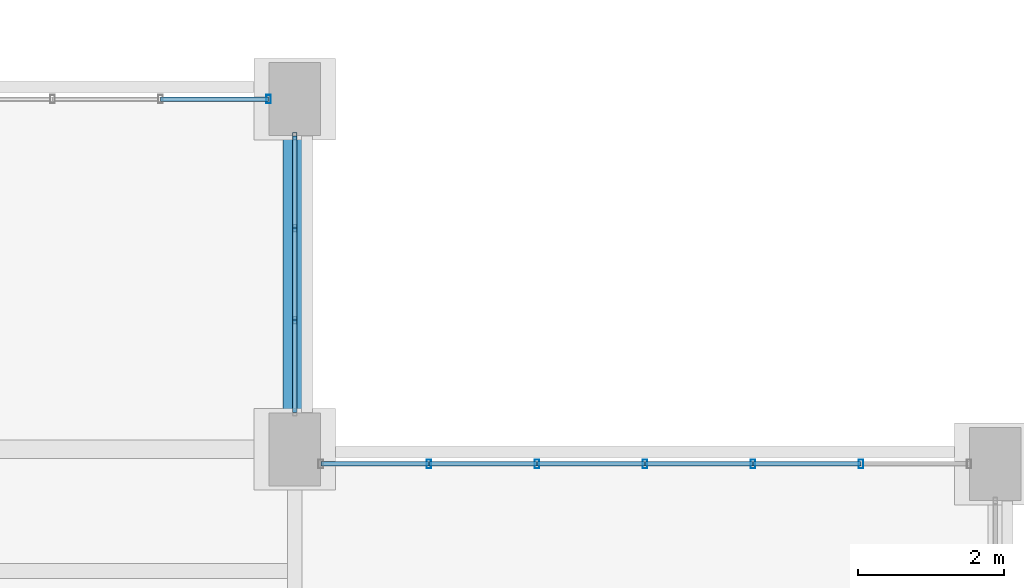
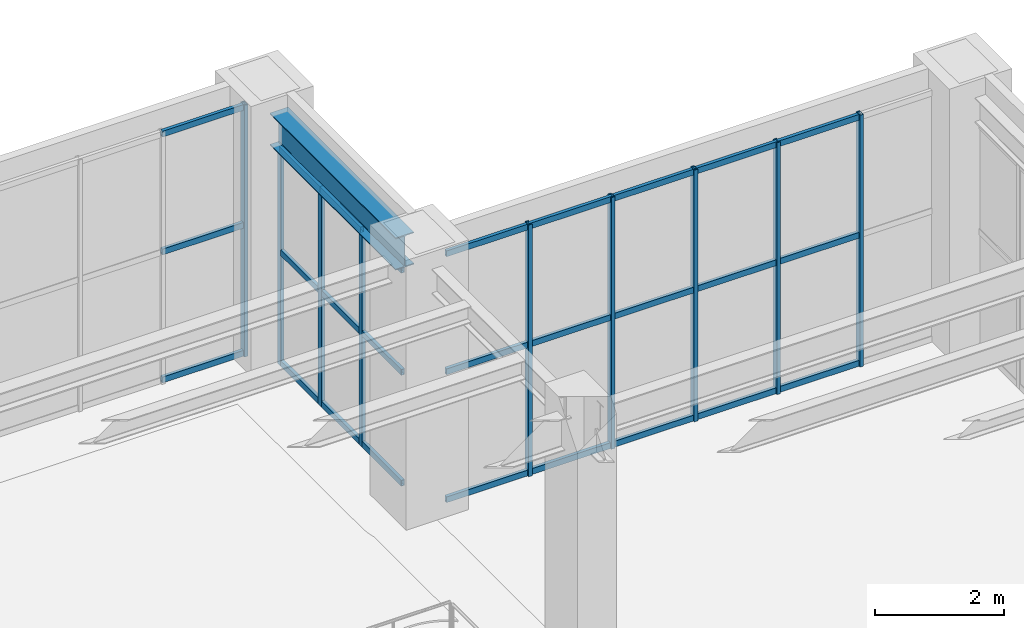
# One storey, part 117 of 174: 36 members, 1 beam, 3 elements without a shape of their own.
"""IFC4 building model written with IfcOpenShell, lengths in metres."""

from ifc_helpers import new_model, si_unit, direction, frame, origin, origin_2d, place, context, subcontext, project, spatial, hollow_rectangle, i_section, extrude, material, material_profile, profile_set, type_object, element, aggregate, save


model = new_model("IFC4")

# Units and contexts
model_context = context("Model", 3, precision=1e-05, world=origin(), true_north=direction((0.0, 1.0)))
body_context = subcontext(model_context, "Body", "Model", "MODEL_VIEW")
ifc_project = project(units=[si_unit("LENGTHUNIT", "METRE"), si_unit("AREAUNIT", "SQUARE_METRE"), si_unit("VOLUMEUNIT", "CUBIC_METRE"), si_unit("PLANEANGLEUNIT", "RADIAN"), si_unit("MASSUNIT", "GRAM", prefix="KILO")], contexts=[model_context])

# Site, building, storey
site_placement = place(None, origin())
site = spatial("IfcSite", under=ifc_project, at=site_placement, CompositionType="ELEMENT")
building_placement = place(site_placement, origin())
building = spatial("IfcBuilding", under=site, at=building_placement, Name="Mavantir Sound Aquarium", CompositionType="ELEMENT")
storey_placement = place(building_placement, frame((0.0, 0.0, 5.39990234375)))
storey = spatial("IfcBuildingStorey", under=building, at=storey_placement, Name="L01", CompositionType="ELEMENT", Elevation=5.39990234375)

# Beam
ifc_material_1 = material(Name="Structural Steel ASTM A992 Gr50", Category="steel")
ifc_material_profile_1 = material_profile(ifc_material_1, i_section(OverallWidth=0.323974609375, OverallDepth=0.611083984375, WebThickness=0.0126953125, FlangeThickness=0.01904296875, FilletRadius=0.01904296875, at=origin_2d()), Name="W610X155")
ifc_profile_set_1 = profile_set([ifc_material_profile_1], Name="Structural Steel ASTM A992 Gr50")
beam_type = type_object("IfcBeamType", Name="BM-W610X155-I", PredefinedType="BEAM", material=ifc_profile_set_1)
beam_placement = place(storey_placement, frame((136.800048828125, 81.25, 4.470703125), z_axis=(0.0, 1.0, 0.0), x_axis=(-1.0, 0.0, 0.0)))
element("IfcBeam", 1, at=beam_placement, inside=storey, type_object=beam_type, Name="L01 primary girder SB-61A 1330", PredefinedType="BEAM", context=body_context, shape_type="SweptSolid", body=[
    extrude(i_section(OverallWidth=0.323974609375, OverallDepth=0.611083984375, WebThickness=0.0126953125, FlangeThickness=0.01904296875, FilletRadius=0.01904296875, at=origin_2d()), origin(), (0.0, 0.0, 1.0), 3.89990234375),
])

# Curtain wall, members
ifc_material_2 = material(Name="Anodised Marine Aluminium and Low-E Glass", Category="aluminium")
curtain_wall_type_1 = type_object("IfcCurtainWallType", Name="CW-T11", PredefinedType="USERDEFINED", material=ifc_material_2)
curtain_wall_1_placement = place(storey_placement, origin())
curtain_wall_1 = element("IfcCurtainWall", 2, at=curtain_wall_1_placement, inside=storey, type_object=curtain_wall_type_1, Name="L01 unitised curtain wall CW-11 83", ObjectType="UNITISED GLAZING", PredefinedType="USERDEFINED")
ifc_material_3 = material(Name="Anodised Marine Aluminium 6063-T6", Category="aluminium")
ifc_material_profile_2 = material_profile(ifc_material_3, hollow_rectangle(XDim=0.06005859375, YDim=0.10009765625, WallThickness=0.00390625, at=origin_2d()), Name="ALU-MULLION-100X60")
ifc_profile_set_2 = profile_set([ifc_material_profile_2], Name="Anodised Marine Aluminium 6063-T6")
member_type_1 = type_object("IfcMemberType", Name="CW-MUL-100", PredefinedType="MULLION", material=ifc_profile_set_2)
member_1_placement = place(storey_placement, frame((136.800048828125, 82.5693359375, 0.0), z_axis=(0.0, 0.0, 1.0), x_axis=(1.0, 0.0, 0.0)))
member_1 = element("IfcMember", 3, at=member_1_placement, type_object=member_type_1, Name="CW-L01-083 vertical mullion 2", PredefinedType="MULLION", context=body_context, shape_type="SweptSolid", body=[
    extrude(hollow_rectangle(XDim=0.06005859375, YDim=0.10009765625, WallThickness=0.00390625, at=origin_2d()), origin(), (0.0, 0.0, 1.0), 4.135009765625),
])
member_2_placement = place(storey_placement, frame((136.800048828125, 83.830810546875, 0.0), z_axis=(0.0, 0.0, 1.0), x_axis=(1.0, 0.0, 0.0)))
member_2 = element("IfcMember", 4, at=member_2_placement, type_object=member_type_1, Name="CW-L01-083 vertical mullion 3", PredefinedType="MULLION", context=body_context, shape_type="SweptSolid", body=[
    extrude(hollow_rectangle(XDim=0.06005859375, YDim=0.10009765625, WallThickness=0.00390625, at=origin_2d()), origin(), (0.0, 0.0, 1.0), 4.135009765625),
])
member_3_placement = place(storey_placement, frame((136.800048828125, 85.092041015625, 0.0), z_axis=(0.0, 0.0, 1.0), x_axis=(1.0, 0.0, 0.0)))
member_3 = element("IfcMember", 5, at=member_3_placement, type_object=member_type_1, Name="CW-L01-083 vertical mullion 4", PredefinedType="MULLION", context=body_context, shape_type="SweptSolid", body=[
    extrude(hollow_rectangle(XDim=0.06005859375, YDim=0.10009765625, WallThickness=0.00390625, at=origin_2d()), origin(), (0.0, 0.0, 1.0), 4.135009765625),
])

curtain_wall_type_2 = type_object("IfcCurtainWallType", Name="CW-T10", PredefinedType="USERDEFINED", material=ifc_material_2)
curtain_wall_2_placement = place(storey_placement, origin())
curtain_wall_2 = element("IfcCurtainWall", 6, at=curtain_wall_2_placement, inside=storey, type_object=curtain_wall_type_2, Name="L01 unitised curtain wall CW-10 82", ObjectType="UNITISED GLAZING", PredefinedType="USERDEFINED")
ifc_material_profile_3 = material_profile(ifc_material_3, hollow_rectangle(XDim=0.06494140625, YDim=0.1201171875, WallThickness=0.00390625, at=origin_2d()), Name="ALU-MULLION-120X65")
ifc_profile_set_3 = profile_set([ifc_material_profile_3], Name="Anodised Marine Aluminium 6063-T6")
member_type_2 = type_object("IfcMemberType", Name="CW-MUL-120", PredefinedType="MULLION", material=ifc_profile_set_3)
member_4_placement = place(storey_placement, frame((144.561279296875, 80.60009765625, 0.0), z_axis=(0.0, 0.0, 1.0), x_axis=(1.0, 0.0, 0.0)))
member_4 = element("IfcMember", 7, at=member_4_placement, type_object=member_type_2, Name="CW-L01-082 vertical mullion 2", PredefinedType="MULLION", context=body_context, shape_type="SweptSolid", body=[
    extrude(hollow_rectangle(XDim=0.06494140625, YDim=0.1201171875, WallThickness=0.00390625, at=origin_2d()), origin(), (0.0, 0.0, 1.0), 4.760009765625),
])
member_5_placement = place(storey_placement, frame((143.080810546875, 80.60009765625, 0.0), z_axis=(0.0, 0.0, 1.0), x_axis=(1.0, 0.0, 0.0)))
member_5 = element("IfcMember", 8, at=member_5_placement, type_object=member_type_2, Name="CW-L01-082 vertical mullion 3", PredefinedType="MULLION", context=body_context, shape_type="SweptSolid", body=[
    extrude(hollow_rectangle(XDim=0.06494140625, YDim=0.1201171875, WallThickness=0.00390625, at=origin_2d()), origin(), (0.0, 0.0, 1.0), 4.760009765625),
])
member_6_placement = place(storey_placement, frame((141.60009765625, 80.60009765625, 0.0), z_axis=(0.0, 0.0, 1.0), x_axis=(1.0, 0.0, 0.0)))
member_6 = element("IfcMember", 9, at=member_6_placement, type_object=member_type_2, Name="CW-L01-082 vertical mullion 4", PredefinedType="MULLION", context=body_context, shape_type="SweptSolid", body=[
    extrude(hollow_rectangle(XDim=0.06494140625, YDim=0.1201171875, WallThickness=0.00390625, at=origin_2d()), origin(), (0.0, 0.0, 1.0), 4.760009765625),
])
member_7_placement = place(storey_placement, frame((140.119384765625, 80.60009765625, 0.0), z_axis=(0.0, 0.0, 1.0), x_axis=(1.0, 0.0, 0.0)))
member_7 = element("IfcMember", 10, at=member_7_placement, type_object=member_type_2, Name="CW-L01-082 vertical mullion 5", PredefinedType="MULLION", context=body_context, shape_type="SweptSolid", body=[
    extrude(hollow_rectangle(XDim=0.06494140625, YDim=0.1201171875, WallThickness=0.00390625, at=origin_2d()), origin(), (0.0, 0.0, 1.0), 4.760009765625),
])
member_8_placement = place(storey_placement, frame((138.638671875, 80.60009765625, 0.0), z_axis=(0.0, 0.0, 1.0), x_axis=(1.0, 0.0, 0.0)))
member_8 = element("IfcMember", 11, at=member_8_placement, type_object=member_type_2, Name="CW-L01-082 vertical mullion 6", PredefinedType="MULLION", context=body_context, shape_type="SweptSolid", body=[
    extrude(hollow_rectangle(XDim=0.06494140625, YDim=0.1201171875, WallThickness=0.00390625, at=origin_2d()), origin(), (0.0, 0.0, 1.0), 4.760009765625),
])

# Curtain wall, member
curtain_wall_type_3 = type_object("IfcCurtainWallType", Name="CW-T12", PredefinedType="USERDEFINED", material=ifc_material_2)
curtain_wall_3_placement = place(storey_placement, origin())
curtain_wall_3 = element("IfcCurtainWall", 12, at=curtain_wall_3_placement, inside=storey, type_object=curtain_wall_type_3, Name="L01 unitised curtain wall CW-12 84", ObjectType="UNITISED GLAZING", PredefinedType="USERDEFINED")
member_9_placement = place(storey_placement, frame((136.44189453125, 85.60009765625, 0.0), z_axis=(0.0, 0.0, 1.0), x_axis=(1.0, 0.0, 0.0)))
member_9 = element("IfcMember", 13, at=member_9_placement, type_object=member_type_2, Name="CW-L01-084 vertical mullion 1", PredefinedType="MULLION", context=body_context, shape_type="SweptSolid", body=[
    extrude(hollow_rectangle(XDim=0.06494140625, YDim=0.1201171875, WallThickness=0.00390625, at=origin_2d()), origin(), (0.0, 0.0, 1.0), 4.760009765625),
])

# Member
ifc_material_profile_4 = material_profile(ifc_material_3, hollow_rectangle(XDim=0.06005859375, YDim=0.110107421875, WallThickness=0.00390625, at=origin_2d()), Name="ALU-TRANSOM-110X60")
ifc_profile_set_4 = profile_set([ifc_material_profile_4], Name="Anodised Marine Aluminium 6063-T6")
member_type_3 = type_object("IfcMemberType", Name="CW-TRN-110", PredefinedType="USERDEFINED", material=ifc_profile_set_4)
member_10_placement = place(storey_placement, frame((144.561279296875, 80.60009765625, 0.05517578125), z_axis=(-1.0, 0.0, 0.0), x_axis=(0.0, -1.0, 0.0)))
member_10 = element("IfcMember", 14, at=member_10_placement, type_object=member_type_3, Name="CW-L01-082 transom 2.1", ObjectType="TRANSOM", PredefinedType="USERDEFINED", context=body_context, shape_type="SweptSolid", body=[
    extrude(hollow_rectangle(XDim=0.06005859375, YDim=0.110107421875, WallThickness=0.00390625, at=origin_2d()), origin(), (0.0, 0.0, 1.0), 1.48046875),
])

member_11_placement = place(storey_placement, frame((144.561279296875, 80.60009765625, 2.475341796875), z_axis=(-1.0, 0.0, 0.0), x_axis=(0.0, -1.0, 0.0)))
member_11 = element("IfcMember", 15, at=member_11_placement, type_object=member_type_3, Name="CW-L01-082 transom 2.2", ObjectType="TRANSOM", PredefinedType="USERDEFINED", context=body_context, shape_type="SweptSolid", body=[
    extrude(hollow_rectangle(XDim=0.06005859375, YDim=0.110107421875, WallThickness=0.00390625, at=origin_2d()), origin(), (0.0, 0.0, 1.0), 1.48046875),
])

member_12_placement = place(storey_placement, frame((144.561279296875, 80.60009765625, 4.705078125), z_axis=(-1.0, 0.0, 0.0), x_axis=(0.0, -1.0, 0.0)))
member_12 = element("IfcMember", 16, at=member_12_placement, type_object=member_type_3, Name="CW-L01-082 transom 2.3", ObjectType="TRANSOM", PredefinedType="USERDEFINED", context=body_context, shape_type="SweptSolid", body=[
    extrude(hollow_rectangle(XDim=0.06005859375, YDim=0.110107421875, WallThickness=0.00390625, at=origin_2d()), origin(), (0.0, 0.0, 1.0), 1.48046875),
])

member_13_placement = place(storey_placement, frame((143.080810546875, 80.60009765625, 0.05517578125), z_axis=(-1.0, 0.0, 0.0), x_axis=(0.0, -1.0, 0.0)))
member_13 = element("IfcMember", 17, at=member_13_placement, type_object=member_type_3, Name="CW-L01-082 transom 3.1", ObjectType="TRANSOM", PredefinedType="USERDEFINED", context=body_context, shape_type="SweptSolid", body=[
    extrude(hollow_rectangle(XDim=0.06005859375, YDim=0.110107421875, WallThickness=0.00390625, at=origin_2d()), origin(), (0.0, 0.0, 1.0), 1.480712890625),
])

member_14_placement = place(storey_placement, frame((143.080810546875, 80.60009765625, 2.475341796875), z_axis=(-1.0, 0.0, 0.0), x_axis=(0.0, -1.0, 0.0)))
member_14 = element("IfcMember", 18, at=member_14_placement, type_object=member_type_3, Name="CW-L01-082 transom 3.2", ObjectType="TRANSOM", PredefinedType="USERDEFINED", context=body_context, shape_type="SweptSolid", body=[
    extrude(hollow_rectangle(XDim=0.06005859375, YDim=0.110107421875, WallThickness=0.00390625, at=origin_2d()), origin(), (0.0, 0.0, 1.0), 1.480712890625),
])

member_15_placement = place(storey_placement, frame((143.080810546875, 80.60009765625, 4.705078125), z_axis=(-1.0, 0.0, 0.0), x_axis=(0.0, -1.0, 0.0)))
member_15 = element("IfcMember", 19, at=member_15_placement, type_object=member_type_3, Name="CW-L01-082 transom 3.3", ObjectType="TRANSOM", PredefinedType="USERDEFINED", context=body_context, shape_type="SweptSolid", body=[
    extrude(hollow_rectangle(XDim=0.06005859375, YDim=0.110107421875, WallThickness=0.00390625, at=origin_2d()), origin(), (0.0, 0.0, 1.0), 1.480712890625),
])

member_16_placement = place(storey_placement, frame((141.60009765625, 80.60009765625, 0.05517578125), z_axis=(-1.0, 0.0, 0.0), x_axis=(0.0, -1.0, 0.0)))
member_16 = element("IfcMember", 20, at=member_16_placement, type_object=member_type_3, Name="CW-L01-082 transom 4.1", ObjectType="TRANSOM", PredefinedType="USERDEFINED", context=body_context, shape_type="SweptSolid", body=[
    extrude(hollow_rectangle(XDim=0.06005859375, YDim=0.110107421875, WallThickness=0.00390625, at=origin_2d()), origin(), (0.0, 0.0, 1.0), 1.480712890625),
])

member_17_placement = place(storey_placement, frame((141.60009765625, 80.60009765625, 2.475341796875), z_axis=(-1.0, 0.0, 0.0), x_axis=(0.0, -1.0, 0.0)))
member_17 = element("IfcMember", 21, at=member_17_placement, type_object=member_type_3, Name="CW-L01-082 transom 4.2", ObjectType="TRANSOM", PredefinedType="USERDEFINED", context=body_context, shape_type="SweptSolid", body=[
    extrude(hollow_rectangle(XDim=0.06005859375, YDim=0.110107421875, WallThickness=0.00390625, at=origin_2d()), origin(), (0.0, 0.0, 1.0), 1.480712890625),
])

member_18_placement = place(storey_placement, frame((141.60009765625, 80.60009765625, 4.705078125), z_axis=(-1.0, 0.0, 0.0), x_axis=(0.0, -1.0, 0.0)))
member_18 = element("IfcMember", 22, at=member_18_placement, type_object=member_type_3, Name="CW-L01-082 transom 4.3", ObjectType="TRANSOM", PredefinedType="USERDEFINED", context=body_context, shape_type="SweptSolid", body=[
    extrude(hollow_rectangle(XDim=0.06005859375, YDim=0.110107421875, WallThickness=0.00390625, at=origin_2d()), origin(), (0.0, 0.0, 1.0), 1.480712890625),
])

member_19_placement = place(storey_placement, frame((140.119384765625, 80.60009765625, 0.05517578125), z_axis=(-1.0, 0.0, 0.0), x_axis=(0.0, -1.0, 0.0)))
member_19 = element("IfcMember", 23, at=member_19_placement, type_object=member_type_3, Name="CW-L01-082 transom 5.1", ObjectType="TRANSOM", PredefinedType="USERDEFINED", context=body_context, shape_type="SweptSolid", body=[
    extrude(hollow_rectangle(XDim=0.06005859375, YDim=0.110107421875, WallThickness=0.00390625, at=origin_2d()), origin(), (0.0, 0.0, 1.0), 1.480712890625),
])

member_20_placement = place(storey_placement, frame((140.119384765625, 80.60009765625, 2.475341796875), z_axis=(-1.0, 0.0, 0.0), x_axis=(0.0, -1.0, 0.0)))
member_20 = element("IfcMember", 24, at=member_20_placement, type_object=member_type_3, Name="CW-L01-082 transom 5.2", ObjectType="TRANSOM", PredefinedType="USERDEFINED", context=body_context, shape_type="SweptSolid", body=[
    extrude(hollow_rectangle(XDim=0.06005859375, YDim=0.110107421875, WallThickness=0.00390625, at=origin_2d()), origin(), (0.0, 0.0, 1.0), 1.480712890625),
])

member_21_placement = place(storey_placement, frame((140.119384765625, 80.60009765625, 4.705078125), z_axis=(-1.0, 0.0, 0.0), x_axis=(0.0, -1.0, 0.0)))
member_21 = element("IfcMember", 25, at=member_21_placement, type_object=member_type_3, Name="CW-L01-082 transom 5.3", ObjectType="TRANSOM", PredefinedType="USERDEFINED", context=body_context, shape_type="SweptSolid", body=[
    extrude(hollow_rectangle(XDim=0.06005859375, YDim=0.110107421875, WallThickness=0.00390625, at=origin_2d()), origin(), (0.0, 0.0, 1.0), 1.480712890625),
])

member_22_placement = place(storey_placement, frame((138.638671875, 80.60009765625, 0.05517578125), z_axis=(-1.0, 0.0, 0.0), x_axis=(0.0, -1.0, 0.0)))
member_22 = element("IfcMember", 26, at=member_22_placement, type_object=member_type_3, Name="CW-L01-082 transom 6.1", ObjectType="TRANSOM", PredefinedType="USERDEFINED", context=body_context, shape_type="SweptSolid", body=[
    extrude(hollow_rectangle(XDim=0.06005859375, YDim=0.110107421875, WallThickness=0.00390625, at=origin_2d()), origin(), (0.0, 0.0, 1.0), 1.480712890625),
])

member_23_placement = place(storey_placement, frame((138.638671875, 80.60009765625, 2.475341796875), z_axis=(-1.0, 0.0, 0.0), x_axis=(0.0, -1.0, 0.0)))
member_23 = element("IfcMember", 27, at=member_23_placement, type_object=member_type_3, Name="CW-L01-082 transom 6.2", ObjectType="TRANSOM", PredefinedType="USERDEFINED", context=body_context, shape_type="SweptSolid", body=[
    extrude(hollow_rectangle(XDim=0.06005859375, YDim=0.110107421875, WallThickness=0.00390625, at=origin_2d()), origin(), (0.0, 0.0, 1.0), 1.480712890625),
])

member_24_placement = place(storey_placement, frame((138.638671875, 80.60009765625, 4.705078125), z_axis=(-1.0, 0.0, 0.0), x_axis=(0.0, -1.0, 0.0)))
member_24 = element("IfcMember", 28, at=member_24_placement, type_object=member_type_3, Name="CW-L01-082 transom 6.3", ObjectType="TRANSOM", PredefinedType="USERDEFINED", context=body_context, shape_type="SweptSolid", body=[
    extrude(hollow_rectangle(XDim=0.06005859375, YDim=0.110107421875, WallThickness=0.00390625, at=origin_2d()), origin(), (0.0, 0.0, 1.0), 1.480712890625),
])

aggregate(curtain_wall_2, [member_4, member_5, member_6, member_7, member_8, member_10, member_11, member_12, member_13, member_14, member_15, member_16, member_17, member_18, member_19, member_20, member_21, member_22, member_23, member_24])

member_25_placement = place(storey_placement, frame((136.800048828125, 81.30810546875, 0.05517578125), z_axis=(0.0, 1.0, 0.0), x_axis=(-1.0, 0.0, 0.0)))
member_25 = element("IfcMember", 29, at=member_25_placement, type_object=member_type_3, Name="CW-L01-083 transom 1.1", ObjectType="TRANSOM", PredefinedType="USERDEFINED", context=body_context, shape_type="SweptSolid", body=[
    extrude(hollow_rectangle(XDim=0.06005859375, YDim=0.110107421875, WallThickness=0.00390625, at=origin_2d()), origin(), (0.0, 0.0, 1.0), 1.26123046875),
])

member_26_placement = place(storey_placement, frame((136.800048828125, 81.30810546875, 2.150390625), z_axis=(0.0, 1.0, 0.0), x_axis=(-1.0, 0.0, 0.0)))
member_26 = element("IfcMember", 30, at=member_26_placement, type_object=member_type_3, Name="CW-L01-083 transom 1.2", ObjectType="TRANSOM", PredefinedType="USERDEFINED", context=body_context, shape_type="SweptSolid", body=[
    extrude(hollow_rectangle(XDim=0.06005859375, YDim=0.110107421875, WallThickness=0.00390625, at=origin_2d()), origin(), (0.0, 0.0, 1.0), 1.26123046875),
])

member_27_placement = place(storey_placement, frame((136.800048828125, 81.30810546875, 4.080078125), z_axis=(0.0, 1.0, 0.0), x_axis=(-1.0, 0.0, 0.0)))
member_27 = element("IfcMember", 31, at=member_27_placement, type_object=member_type_3, Name="CW-L01-083 transom 1.3", ObjectType="TRANSOM", PredefinedType="USERDEFINED", context=body_context, shape_type="SweptSolid", body=[
    extrude(hollow_rectangle(XDim=0.06005859375, YDim=0.110107421875, WallThickness=0.00390625, at=origin_2d()), origin(), (0.0, 0.0, 1.0), 1.26123046875),
])

member_28_placement = place(storey_placement, frame((136.800048828125, 82.5693359375, 0.05517578125), z_axis=(0.0, 1.0, 0.0), x_axis=(-1.0, 0.0, 0.0)))
member_28 = element("IfcMember", 32, at=member_28_placement, type_object=member_type_3, Name="CW-L01-083 transom 2.1", ObjectType="TRANSOM", PredefinedType="USERDEFINED", context=body_context, shape_type="SweptSolid", body=[
    extrude(hollow_rectangle(XDim=0.06005859375, YDim=0.110107421875, WallThickness=0.00390625, at=origin_2d()), origin(), (0.0, 0.0, 1.0), 1.261474609375),
])

member_29_placement = place(storey_placement, frame((136.800048828125, 82.5693359375, 2.150390625), z_axis=(0.0, 1.0, 0.0), x_axis=(-1.0, 0.0, 0.0)))
member_29 = element("IfcMember", 33, at=member_29_placement, type_object=member_type_3, Name="CW-L01-083 transom 2.2", ObjectType="TRANSOM", PredefinedType="USERDEFINED", context=body_context, shape_type="SweptSolid", body=[
    extrude(hollow_rectangle(XDim=0.06005859375, YDim=0.110107421875, WallThickness=0.00390625, at=origin_2d()), origin(), (0.0, 0.0, 1.0), 1.261474609375),
])

member_30_placement = place(storey_placement, frame((136.800048828125, 82.5693359375, 4.080078125), z_axis=(0.0, 1.0, 0.0), x_axis=(-1.0, 0.0, 0.0)))
member_30 = element("IfcMember", 34, at=member_30_placement, type_object=member_type_3, Name="CW-L01-083 transom 2.3", ObjectType="TRANSOM", PredefinedType="USERDEFINED", context=body_context, shape_type="SweptSolid", body=[
    extrude(hollow_rectangle(XDim=0.06005859375, YDim=0.110107421875, WallThickness=0.00390625, at=origin_2d()), origin(), (0.0, 0.0, 1.0), 1.261474609375),
])

member_31_placement = place(storey_placement, frame((136.800048828125, 83.830810546875, 0.05517578125), z_axis=(0.0, 1.0, 0.0), x_axis=(-1.0, 0.0, 0.0)))
member_31 = element("IfcMember", 35, at=member_31_placement, type_object=member_type_3, Name="CW-L01-083 transom 3.1", ObjectType="TRANSOM", PredefinedType="USERDEFINED", context=body_context, shape_type="SweptSolid", body=[
    extrude(hollow_rectangle(XDim=0.06005859375, YDim=0.110107421875, WallThickness=0.00390625, at=origin_2d()), origin(), (0.0, 0.0, 1.0), 1.26123046875),
])

member_32_placement = place(storey_placement, frame((136.800048828125, 83.830810546875, 2.150390625), z_axis=(0.0, 1.0, 0.0), x_axis=(-1.0, 0.0, 0.0)))
member_32 = element("IfcMember", 36, at=member_32_placement, type_object=member_type_3, Name="CW-L01-083 transom 3.2", ObjectType="TRANSOM", PredefinedType="USERDEFINED", context=body_context, shape_type="SweptSolid", body=[
    extrude(hollow_rectangle(XDim=0.06005859375, YDim=0.110107421875, WallThickness=0.00390625, at=origin_2d()), origin(), (0.0, 0.0, 1.0), 1.26123046875),
])

member_33_placement = place(storey_placement, frame((136.800048828125, 83.830810546875, 4.080078125), z_axis=(0.0, 1.0, 0.0), x_axis=(-1.0, 0.0, 0.0)))
member_33 = element("IfcMember", 37, at=member_33_placement, type_object=member_type_3, Name="CW-L01-083 transom 3.3", ObjectType="TRANSOM", PredefinedType="USERDEFINED", context=body_context, shape_type="SweptSolid", body=[
    extrude(hollow_rectangle(XDim=0.06005859375, YDim=0.110107421875, WallThickness=0.00390625, at=origin_2d()), origin(), (0.0, 0.0, 1.0), 1.26123046875),
])

aggregate(curtain_wall_1, [member_1, member_2, member_3, member_25, member_26, member_27, member_28, member_29, member_30, member_31, member_32, member_33])

member_34_placement = place(storey_placement, frame((136.44189453125, 85.60009765625, 0.05517578125), z_axis=(-1.0, 0.0, 0.0), x_axis=(0.0, -1.0, 0.0)))
member_34 = element("IfcMember", 38, at=member_34_placement, type_object=member_type_3, Name="CW-L01-084 transom 1.1", ObjectType="TRANSOM", PredefinedType="USERDEFINED", context=body_context, shape_type="SweptSolid", body=[
    extrude(hollow_rectangle(XDim=0.06005859375, YDim=0.110107421875, WallThickness=0.00390625, at=origin_2d()), origin(), (0.0, 0.0, 1.0), 1.480712890625),
])

member_35_placement = place(storey_placement, frame((136.44189453125, 85.60009765625, 2.475341796875), z_axis=(-1.0, 0.0, 0.0), x_axis=(0.0, -1.0, 0.0)))
member_35 = element("IfcMember", 39, at=member_35_placement, type_object=member_type_3, Name="CW-L01-084 transom 1.2", ObjectType="TRANSOM", PredefinedType="USERDEFINED", context=body_context, shape_type="SweptSolid", body=[
    extrude(hollow_rectangle(XDim=0.06005859375, YDim=0.110107421875, WallThickness=0.00390625, at=origin_2d()), origin(), (0.0, 0.0, 1.0), 1.480712890625),
])

member_36_placement = place(storey_placement, frame((136.44189453125, 85.60009765625, 4.705078125), z_axis=(-1.0, 0.0, 0.0), x_axis=(0.0, -1.0, 0.0)))
member_36 = element("IfcMember", 40, at=member_36_placement, type_object=member_type_3, Name="CW-L01-084 transom 1.3", ObjectType="TRANSOM", PredefinedType="USERDEFINED", context=body_context, shape_type="SweptSolid", body=[
    extrude(hollow_rectangle(XDim=0.06005859375, YDim=0.110107421875, WallThickness=0.00390625, at=origin_2d()), origin(), (0.0, 0.0, 1.0), 1.480712890625),
])

aggregate(curtain_wall_3, [member_9, member_34, member_35, member_36])

save(model, "model.ifc")
